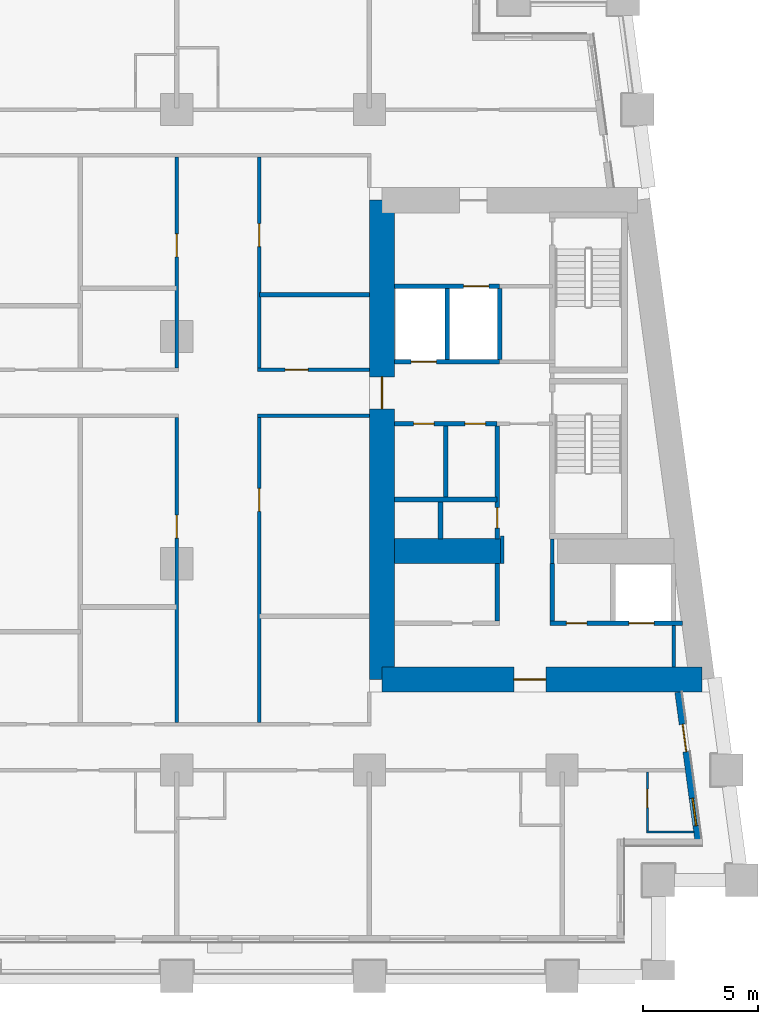
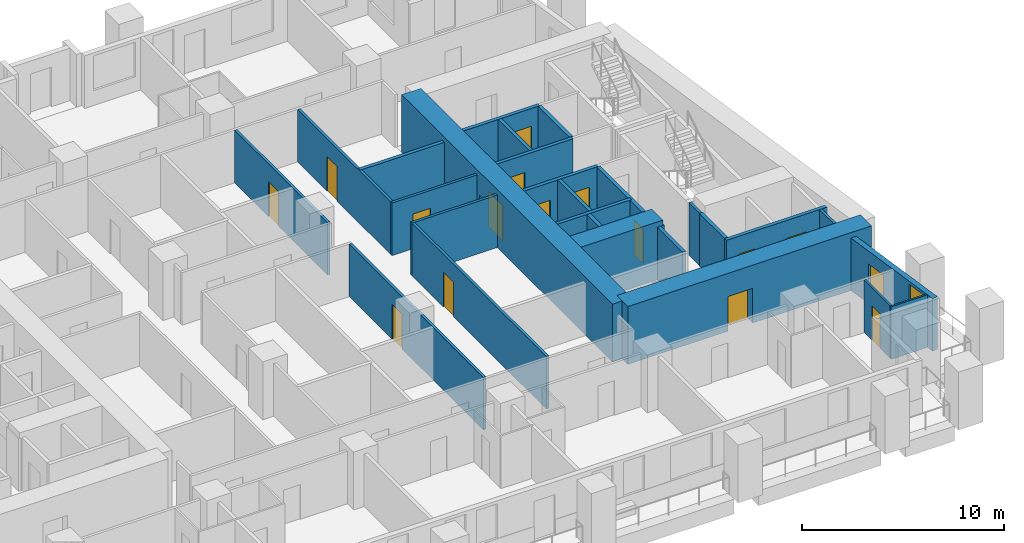
# One storey, part 5 of 13: 28 walls, 16 doors, 1 window, 17 openings.
"""IFC4 building model written with IfcOpenShell, lengths in metres."""

from ifc_helpers import new_model, si_unit, direction, frame, frame_2d, origin, place, context, subcontext, project, spatial, rectangle, extrude, material, layer, layer_set, type_object, element, fill, save


model = new_model("IFC4")

# Units and contexts
model_context = context("Model", 3, precision=1e-05, world=origin(), true_north=direction((0.0, 1.0)))
body_context = subcontext(model_context, "Body", "Model", "MODEL_VIEW")
ifc_project = project(units=[si_unit("LENGTHUNIT", "METRE"), si_unit("AREAUNIT", "SQUARE_METRE"), si_unit("VOLUMEUNIT", "CUBIC_METRE"), si_unit("PLANEANGLEUNIT", "RADIAN"), si_unit("MASSUNIT", "GRAM", prefix="KILO")], contexts=[model_context])

# Site, building, storey
site_placement = place(None, origin())
site = spatial("IfcSite", under=ifc_project, at=site_placement, CompositionType="ELEMENT")
building_placement = place(site_placement, origin())
building = spatial("IfcBuilding", under=site, at=building_placement, Name="Candeia Pilgrim Tower and Theatre", CompositionType="ELEMENT")
storey_placement = place(building_placement, frame((0.0, 0.0, 60.0)))
storey = spatial("IfcBuildingStorey", under=building, at=storey_placement, Name="L12", CompositionType="ELEMENT", Elevation=60.0)

# Wall, opening, door
ifc_material_1 = material(Name="Concrete C80/95", Category="concrete")
ifc_layer_1 = layer(ifc_material_1, 1.10009765625)
ifc_layer_set_1 = layer_set([ifc_layer_1], Name="Core wall 1100 C80/95")
wall_type_1 = type_object("IfcWallType", Name="Core wall 1100 C80/95", PredefinedType="SHEAR", material=ifc_layer_set_1)
wall_1_placement = place(storey_placement, frame((140.501708984375, 110.949951171875, 0.0), z_axis=(0.0, 0.0, 1.0), x_axis=(-1.0, 0.0, 0.0)))
wall_1 = element("IfcWall", 1, at=wall_1_placement, inside=storey, type_object=wall_type_1, Name="Core wall E3", PredefinedType="SHEAR", context=body_context, shape_type="SweptSolid", body=[
    extrude(rectangle(XDim=13.95166015625, YDim=1.10009765625, at=frame_2d((6.975830078125, 0.0))), origin(), (0.0, 0.0, 1.0), 3.5),
])
opening_1_placement = place(wall_1_placement, frame((6.80419921875, 0.0, 0.0)))
opening_1 = element("IfcOpeningElement", 2, at=opening_1_placement, cuts=wall_1, Name="Opening L12-D060", PredefinedType="OPENING", context=body_context, shape_type="SweptSolid", body=[
    extrude(rectangle(XDim=1.39990234375, YDim=2.10009765625, at=frame_2d((0.699951171875, 1.050048828125))), frame((0.0, 0.56005859375, 0.0), z_axis=(0.0, -1.0, 0.0), x_axis=(1.0, 0.0, 0.0)), (0.0, 0.0, 1.0), 1.1201171875),
])
ifc_material_2 = material(Name="Steel fire door set", Category="steel")
door_type_1 = type_object("IfcDoorType", Name="D-1400-FD60", OperationType="NOTDEFINED", PredefinedType="DOOR", material=ifc_material_2)
door_1_placement = place(opening_1_placement, origin())
door_1 = element("IfcDoor", 3, at=door_1_placement, inside=storey, type_object=door_type_1, Name="Door L12-D060", OperationType="SINGLE_SWING_RIGHT", OverallHeight=2.10009765625, OverallWidth=1.39990234375, PredefinedType="DOOR", context=body_context, shape_type="SweptSolid", body=[
    extrude(rectangle(XDim=1.39990234375, YDim=2.10009765625, at=frame_2d((0.699951171875, 1.050048828125))), frame((0.0, 0.02490234375, 0.0), z_axis=(0.0, -1.0, 0.0), x_axis=(1.0, 0.0, 0.0)), (0.0, 0.0, 1.0), 0.050048828125),
])
fill(opening_1, door_1)

wall_2_placement = place(storey_placement, frame((126.550048828125, 110.949951171875, 0.0), z_axis=(0.0, 0.0, 1.0), x_axis=(0.0, 1.0, 0.0)))
wall_2 = element("IfcWall", 4, at=wall_2_placement, inside=storey, type_object=wall_type_1, Name="Core wall E4", PredefinedType="SHEAR", context=body_context, shape_type="SweptSolid", body=[
    extrude(rectangle(XDim=20.900146484375, YDim=1.10009765625, at=frame_2d((10.4501953125, 0.0))), origin(), (0.0, 0.0, 1.0), 3.5),
])
opening_2_placement = place(wall_2_placement, frame((11.800048828125, 0.0, 0.0)))
opening_2 = element("IfcOpeningElement", 5, at=opening_2_placement, cuts=wall_2, Name="Opening L12-D062", PredefinedType="OPENING", context=body_context, shape_type="SweptSolid", body=[
    extrude(rectangle(XDim=1.39990234375, YDim=2.10009765625, at=frame_2d((0.699951171875, 1.050048828125))), frame((0.0, 0.56005859375, 0.0), z_axis=(0.0, -1.0, 0.0), x_axis=(1.0, 0.0, 0.0)), (0.0, 0.0, 1.0), 1.1201171875),
])
door_2_placement = place(opening_2_placement, origin())
door_2 = element("IfcDoor", 6, at=door_2_placement, inside=storey, type_object=door_type_1, Name="Door L12-D062", OperationType="SINGLE_SWING_RIGHT", OverallHeight=2.10009765625, OverallWidth=1.39990234375, PredefinedType="DOOR", context=body_context, shape_type="SweptSolid", body=[
    extrude(rectangle(XDim=1.39990234375, YDim=2.10009765625, at=frame_2d((0.699951171875, 1.050048828125))), frame((0.0, 0.02490234375, 0.0), z_axis=(0.0, -1.0, 0.0), x_axis=(1.0, 0.0, 0.0)), (0.0, 0.0, 1.0), 0.050048828125),
])
fill(opening_2, door_2)

# Wall
wall_3_placement = place(storey_placement, frame((127.10009765625, 116.550048828125, 0.0), z_axis=(0.0, 0.0, 1.0), x_axis=(1.0, 0.0, 0.0)))
element("IfcWall", 7, at=wall_3_placement, inside=storey, type_object=wall_type_1, Name="Core wall E5", PredefinedType="SHEAR", context=body_context, shape_type="SweptSolid", body=[
    extrude(rectangle(XDim=4.699951171875, YDim=1.10009765625, at=frame_2d((2.35009765625, 0.0))), origin(), (0.0, 0.0, 1.0), 3.5),
])

# Wall, openings, door, window
ifc_material_3 = material(Name="Ceramic block masonry", Category="masonry")
ifc_layer_2 = layer(ifc_material_3, 0.300048828125)
ifc_layer_set_2 = layer_set([ifc_layer_2], Name="EW1 glazing-line wall 300")
wall_type_2 = type_object("IfcWallType", Name="EW1 glazing-line wall 300", PredefinedType="SOLIDWALL", material=ifc_layer_set_2)
wall_4_placement = place(storey_placement, frame((140.34765625, 103.85009765625, 0.0), z_axis=(0.0, 0.0, 1.0), x_axis=(-0.133431549479, 0.991058031401, 0.0)))
wall_4 = element("IfcWall", 8, at=wall_4_placement, inside=storey, type_object=wall_type_2, Name="External wall L12-3.0", PredefinedType="SOLIDWALL", context=body_context, shape_type="SweptSolid", body=[
    extrude(rectangle(XDim=6.60888671875, YDim=0.300048828125, at=frame_2d((3.304443359375, 0.0))), origin(), (0.0, 0.0, 1.0), 3.179931640625),
])
opening_3_placement = place(wall_4_placement, frame((0.736572265625, 0.0, 0.89990234375)))
opening_3 = element("IfcOpeningElement", 9, at=opening_3_placement, cuts=wall_4, Name="Opening W-B", PredefinedType="OPENING", context=body_context, shape_type="SweptSolid", body=[
    extrude(rectangle(XDim=1.199951171875, YDim=2.10009765625, at=frame_2d((0.60009765625, 1.050048828125))), frame((0.0, 0.16015625, 0.0), z_axis=(0.0, -1.0, 0.0), x_axis=(1.0, 0.0, 0.0)), (0.0, 0.0, 1.0), 0.320068359375),
])
opening_4_placement = place(wall_4_placement, frame((3.990966796875, 0.0, 0.0)))
opening_4 = element("IfcOpeningElement", 10, at=opening_4_placement, cuts=wall_4, Name="Opening L12-ED139", PredefinedType="OPENING", context=body_context, shape_type="SweptSolid", body=[
    extrude(rectangle(XDim=1.199951171875, YDim=2.39990234375, at=frame_2d((0.60009765625, 1.199951171875))), frame((0.0, 0.16015625, 0.0), z_axis=(0.0, -1.0, 0.0), x_axis=(1.0, 0.0, 0.0)), (0.0, 0.0, 1.0), 0.320068359375),
])
ifc_material_4 = material(Name="Aluminium framed glazed door", Category="aluminium")
door_type_2 = type_object("IfcDoorType", Name="Loggia door 1200x2400", OperationType="DOUBLE_DOOR_SINGLE_SWING", PredefinedType="DOOR", material=ifc_material_4)
door_3_placement = place(opening_4_placement, origin())
door_3 = element("IfcDoor", 11, at=door_3_placement, inside=storey, type_object=door_type_2, Name="Loggia door L12-ED139", OperationType="DOUBLE_DOOR_SINGLE_SWING", OverallHeight=2.39990234375, OverallWidth=1.199951171875, PredefinedType="DOOR", context=body_context, shape_type="SweptSolid", body=[
    extrude(rectangle(XDim=1.199951171875, YDim=2.39990234375, at=frame_2d((0.60009765625, 1.199951171875))), frame((0.0, 0.02490234375, 0.0), z_axis=(0.0, -1.0, 0.0), x_axis=(1.0, 0.0, 0.0)), (0.0, 0.0, 1.0), 0.050048828125),
])
fill(opening_4, door_3)
ifc_material_5 = material(Name="Aluminium framed double glazing", Category="aluminium")
window_type = type_object("IfcWindowType", Name="W-B window 1200x2100", PartitioningType="SINGLE_PANEL", PredefinedType="WINDOW", material=ifc_material_5)
window_placement = place(opening_3_placement, origin())
window = element("IfcWindow", 12, at=window_placement, inside=storey, type_object=window_type, Name="Window W-B L12", OverallHeight=2.10009765625, OverallWidth=1.199951171875, PartitioningType="SINGLE_PANEL", PredefinedType="WINDOW", context=body_context, shape_type="SweptSolid", body=[
    extrude(rectangle(XDim=1.199951171875, YDim=2.10009765625, at=frame_2d((0.60009765625, 1.050048828125))), frame((0.0, 0.030029296875, 0.0), z_axis=(0.0, -1.0, 0.0), x_axis=(1.0, 0.0, 0.0)), (0.0, 0.0, 1.0), 0.06005859375),
])
fill(opening_3, window)

# Wall
ifc_material_6 = material(Name="Gypsum board partition on steel studs", Category="steel")
ifc_layer_3 = layer(ifc_material_6, 0.10009765625)
ifc_layer_set_3 = layer_set([ifc_layer_3], Name="PW-100 room partition")
wall_type_3 = type_object("IfcWallType", Name="PW-100 room partition", PredefinedType="PARTITIONING", material=ifc_layer_set_3)
wall_5_placement = place(storey_placement, frame((138.070068359375, 104.300048828125, 0.0), z_axis=(0.0, 0.0, 1.0), x_axis=(1.0, 0.0, 0.0)))
element("IfcWall", 13, at=wall_5_placement, inside=storey, type_object=wall_type_3, Name="Room partition L12-002", PredefinedType="PARTITIONING", context=body_context, shape_type="SweptSolid", body=[
    extrude(rectangle(XDim=2.07568359375, YDim=0.10009765625, at=frame_2d((1.037841796875, 0.0))), origin(), (0.0, 0.0, 1.0), 3.179931640625),
])

# Wall, opening, door
wall_6_placement = place(storey_placement, frame((138.1201171875, 104.35009765625, 0.0), z_axis=(0.0, 0.0, 1.0), x_axis=(0.0, 1.0, 0.0)))
wall_6 = element("IfcWall", 14, at=wall_6_placement, inside=storey, type_object=wall_type_3, Name="Room partition L12-122", PredefinedType="PARTITIONING", context=body_context, shape_type="SweptSolid", body=[
    extrude(rectangle(XDim=2.574951171875, YDim=0.10009765625, at=frame_2d((1.28759765625, 0.0))), origin(), (0.0, 0.0, 1.0), 3.179931640625),
])
opening_5_placement = place(wall_6_placement, frame((1.02001953125, 0.0, 0.0)))
opening_5 = element("IfcOpeningElement", 15, at=opening_5_placement, cuts=wall_6, Name="Opening L12-D029", PredefinedType="OPENING", context=body_context, shape_type="SweptSolid", body=[
    extrude(rectangle(XDim=0.800048828125, YDim=2.10009765625, at=frame_2d((0.39990234375, 1.050048828125))), frame((0.0, 0.06005859375, 0.0), z_axis=(0.0, -1.0, 0.0), x_axis=(1.0, 0.0, 0.0)), (0.0, 0.0, 1.0), 0.1201171875),
])
ifc_material_7 = material(Name="Timber door leaf", Category="wood")
door_type_3 = type_object("IfcDoorType", Name="D-800", OperationType="NOTDEFINED", PredefinedType="DOOR", material=ifc_material_7)
door_4_placement = place(opening_5_placement, origin())
door_4 = element("IfcDoor", 16, at=door_4_placement, inside=storey, type_object=door_type_3, Name="Door L12-D029", OperationType="SINGLE_SWING_LEFT", OverallHeight=2.10009765625, OverallWidth=0.800048828125, PredefinedType="DOOR", context=body_context, shape_type="SweptSolid", body=[
    extrude(rectangle(XDim=0.800048828125, YDim=2.10009765625, at=frame_2d((0.39990234375, 1.050048828125))), frame((0.0, 0.02490234375, 0.0), z_axis=(0.0, -1.0, 0.0), x_axis=(1.0, 0.0, 0.0)), (0.0, 0.0, 1.0), 0.050048828125),
])
fill(opening_5, door_4)

# Walls
ifc_layer_4 = layer(ifc_material_6, 0.14990234375)
ifc_layer_set_4 = layer_set([ifc_layer_4], Name="PW-150 lobby wall")
wall_type_4 = type_object("IfcWallType", Name="PW-150 lobby wall", PredefinedType="PARTITIONING", material=ifc_layer_set_4)
wall_7_placement = place(storey_placement, frame((131.800048828125, 116.0, 0.0), z_axis=(0.0, 0.0, 1.0), x_axis=(0.0, 1.0, 0.0)))
element("IfcWall", 17, at=wall_7_placement, inside=storey, type_object=wall_type_4, Name="Lobby wall L12-111", PredefinedType="PARTITIONING", context=body_context, shape_type="SweptSolid", body=[
    extrude(rectangle(XDim=1.199951171875, YDim=0.14990234375, at=frame_2d((0.60009765625, 0.0))), origin(), (0.0, 0.0, 1.0), 3.179931640625),
])
wall_8_placement = place(storey_placement, frame((133.972900390625, 116.0, 0.0), z_axis=(0.0, 0.0, 1.0), x_axis=(0.0, 1.0, 0.0)))
element("IfcWall", 18, at=wall_8_placement, inside=storey, type_object=wall_type_4, Name="Lobby wall L12-114", PredefinedType="PARTITIONING", context=body_context, shape_type="SweptSolid", body=[
    extrude(rectangle(XDim=1.070068359375, YDim=0.14990234375, at=frame_2d((0.53515625, 0.0))), origin(), (0.0, 0.0, 1.0), 3.179931640625),
])
wall_9_placement = place(storey_placement, frame((139.27001953125, 111.5, 0.0), z_axis=(0.0, 0.0, 1.0), x_axis=(0.0, 1.0, 0.0)))
element("IfcWall", 19, at=wall_9_placement, inside=storey, type_object=wall_type_4, Name="Lobby wall L12-124", PredefinedType="PARTITIONING", context=body_context, shape_type="SweptSolid", body=[
    extrude(rectangle(XDim=1.800048828125, YDim=0.14990234375, at=frame_2d((0.89990234375, 0.0))), origin(), (0.0, 0.0, 1.0), 3.179931640625),
])
ifc_layer_5 = layer(ifc_material_6, 0.14990234375)
ifc_layer_set_5 = layer_set([ifc_layer_5], Name="PW-150 unit wall")
wall_type_5 = type_object("IfcWallType", Name="PW-150 unit wall", PredefinedType="PARTITIONING", material=ifc_layer_set_5)
wall_10_placement = place(storey_placement, frame((121.125, 122.449951171875, 0.0), z_axis=(0.0, 0.0, 1.0), x_axis=(1.0, 0.0, 0.0)))
element("IfcWall", 20, at=wall_10_placement, inside=storey, type_object=wall_type_5, Name="Unit wall L12-027", PredefinedType="PARTITIONING", context=body_context, shape_type="SweptSolid", body=[
    extrude(rectangle(XDim=4.875, YDim=0.14990234375, at=frame_2d((2.4375, 0.0))), origin(), (0.0, 0.0, 1.0), 3.179931640625),
])

# Wall, opening, door
wall_11_placement = place(storey_placement, frame((121.125, 124.449951171875, 0.0), z_axis=(0.0, 0.0, 1.0), x_axis=(1.0, 0.0, 0.0)))
wall_11 = element("IfcWall", 21, at=wall_11_placement, inside=storey, type_object=wall_type_5, Name="Unit wall L12-034", PredefinedType="PARTITIONING", context=body_context, shape_type="SweptSolid", body=[
    extrude(rectangle(XDim=4.875, YDim=0.14990234375, at=frame_2d((2.4375, 0.0))), origin(), (0.0, 0.0, 1.0), 3.179931640625),
])
opening_6_placement = place(wall_11_placement, frame((1.199951171875, 0.0, 0.0)))
opening_6 = element("IfcOpeningElement", 22, at=opening_6_placement, cuts=wall_11, Name="Opening L12-D055", PredefinedType="OPENING", context=body_context, shape_type="SweptSolid", body=[
    extrude(rectangle(XDim=1.0, YDim=2.10009765625, at=frame_2d((0.5, 1.050048828125))), frame((0.0, 0.0849609375, 0.0), z_axis=(0.0, -1.0, 0.0), x_axis=(1.0, 0.0, 0.0)), (0.0, 0.0, 1.0), 0.169921875),
])
door_type_4 = type_object("IfcDoorType", Name="D-1000-FD30S", OperationType="NOTDEFINED", PredefinedType="DOOR", material=ifc_material_2)
door_5_placement = place(opening_6_placement, origin())
door_5 = element("IfcDoor", 23, at=door_5_placement, inside=storey, type_object=door_type_4, Name="Door L12-D055", OperationType="SINGLE_SWING_LEFT", OverallHeight=2.10009765625, OverallWidth=1.0, PredefinedType="DOOR", context=body_context, shape_type="SweptSolid", body=[
    extrude(rectangle(XDim=1.0, YDim=2.10009765625, at=frame_2d((0.5, 1.050048828125))), frame((0.0, 0.02490234375, 0.0), z_axis=(0.0, -1.0, 0.0), x_axis=(1.0, 0.0, 0.0)), (0.0, 0.0, 1.0), 0.050048828125),
])
fill(opening_6, door_5)

wall_12_placement = place(storey_placement, frame((117.60009765625, 109.074951171875, 0.0), z_axis=(0.0, 0.0, 1.0), x_axis=(0.0, 1.0, 0.0)))
wall_12 = element("IfcWall", 24, at=wall_12_placement, inside=storey, type_object=wall_type_5, Name="Unit wall L12-095", PredefinedType="PARTITIONING", context=body_context, shape_type="SweptSolid", body=[
    extrude(rectangle(XDim=13.300048828125, YDim=0.14990234375, at=frame_2d((6.64990234375, 0.0))), origin(), (0.0, 0.0, 1.0), 3.179931640625),
])
opening_7_placement = place(wall_12_placement, frame((8.0419921875, 0.0, 0.0)))
opening_7 = element("IfcOpeningElement", 25, at=opening_7_placement, cuts=wall_12, Name="Opening L12-D050", PredefinedType="OPENING", context=body_context, shape_type="SweptSolid", body=[
    extrude(rectangle(XDim=1.0, YDim=2.10009765625, at=frame_2d((0.5, 1.050048828125))), frame((0.0, 0.0849609375, 0.0), z_axis=(0.0, -1.0, 0.0), x_axis=(1.0, 0.0, 0.0)), (0.0, 0.0, 1.0), 0.169921875),
])
door_6_placement = place(opening_7_placement, origin())
door_6 = element("IfcDoor", 26, at=door_6_placement, inside=storey, type_object=door_type_4, Name="Door L12-D050", OperationType="SINGLE_SWING_RIGHT", OverallHeight=2.10009765625, OverallWidth=1.0, PredefinedType="DOOR", context=body_context, shape_type="SweptSolid", body=[
    extrude(rectangle(XDim=1.0, YDim=2.10009765625, at=frame_2d((0.5, 1.050048828125))), frame((0.0, 0.02490234375, 0.0), z_axis=(0.0, -1.0, 0.0), x_axis=(1.0, 0.0, 0.0)), (0.0, 0.0, 1.0), 0.050048828125),
])
fill(opening_7, door_6)

wall_13_placement = place(storey_placement, frame((117.60009765625, 124.52490234375, 0.0), z_axis=(0.0, 0.0, 1.0), x_axis=(0.0, 1.0, 0.0)))
wall_13 = element("IfcWall", 27, at=wall_13_placement, inside=storey, type_object=wall_type_5, Name="Unit wall L12-096", PredefinedType="PARTITIONING", context=body_context, shape_type="SweptSolid", body=[
    extrude(rectangle(XDim=9.2001953125, YDim=0.14990234375, at=frame_2d((4.60009765625, 0.0))), origin(), (0.0, 0.0, 1.0), 3.179931640625),
])
opening_8_placement = place(wall_13_placement, frame((4.85205078125, 0.0, 0.0)))
opening_8 = element("IfcOpeningElement", 28, at=opening_8_placement, cuts=wall_13, Name="Opening L12-D052", PredefinedType="OPENING", context=body_context, shape_type="SweptSolid", body=[
    extrude(rectangle(XDim=1.0, YDim=2.10009765625, at=frame_2d((0.5, 1.050048828125))), frame((0.0, 0.0849609375, 0.0), z_axis=(0.0, -1.0, 0.0), x_axis=(1.0, 0.0, 0.0)), (0.0, 0.0, 1.0), 0.169921875),
])
door_7_placement = place(opening_8_placement, origin())
door_7 = element("IfcDoor", 29, at=door_7_placement, inside=storey, type_object=door_type_4, Name="Door L12-D052", OperationType="SINGLE_SWING_RIGHT", OverallHeight=2.10009765625, OverallWidth=1.0, PredefinedType="DOOR", context=body_context, shape_type="SweptSolid", body=[
    extrude(rectangle(XDim=1.0, YDim=2.10009765625, at=frame_2d((0.5, 1.050048828125))), frame((0.0, 0.02490234375, 0.0), z_axis=(0.0, -1.0, 0.0), x_axis=(1.0, 0.0, 0.0)), (0.0, 0.0, 1.0), 0.050048828125),
])
fill(opening_8, door_7)

wall_14_placement = place(storey_placement, frame((121.199951171875, 109.074951171875, 0.0), z_axis=(0.0, 0.0, 1.0), x_axis=(0.0, 1.0, 0.0)))
wall_14 = element("IfcWall", 30, at=wall_14_placement, inside=storey, type_object=wall_type_5, Name="Unit wall L12-099", PredefinedType="PARTITIONING", context=body_context, shape_type="SweptSolid", body=[
    extrude(rectangle(XDim=13.300048828125, YDim=0.14990234375, at=frame_2d((6.64990234375, 0.0))), origin(), (0.0, 0.0, 1.0), 3.179931640625),
])
opening_9_placement = place(wall_14_placement, frame((9.2080078125, 0.0, 0.0)))
opening_9 = element("IfcOpeningElement", 31, at=opening_9_placement, cuts=wall_14, Name="Opening L12-D054", PredefinedType="OPENING", context=body_context, shape_type="SweptSolid", body=[
    extrude(rectangle(XDim=1.0, YDim=2.10009765625, at=frame_2d((0.5, 1.050048828125))), frame((0.0, 0.0849609375, 0.0), z_axis=(0.0, -1.0, 0.0), x_axis=(1.0, 0.0, 0.0)), (0.0, 0.0, 1.0), 0.169921875),
])
door_8_placement = place(opening_9_placement, origin())
door_8 = element("IfcDoor", 32, at=door_8_placement, inside=storey, type_object=door_type_4, Name="Door L12-D054", OperationType="SINGLE_SWING_RIGHT", OverallHeight=2.10009765625, OverallWidth=1.0, PredefinedType="DOOR", context=body_context, shape_type="SweptSolid", body=[
    extrude(rectangle(XDim=1.0, YDim=2.10009765625, at=frame_2d((0.5, 1.050048828125))), frame((0.0, 0.02490234375, 0.0), z_axis=(0.0, -1.0, 0.0), x_axis=(1.0, 0.0, 0.0)), (0.0, 0.0, 1.0), 0.050048828125),
])
fill(opening_9, door_8)

wall_15_placement = place(storey_placement, frame((121.199951171875, 124.52490234375, 0.0), z_axis=(0.0, 0.0, 1.0), x_axis=(0.0, 1.0, 0.0)))
wall_15 = element("IfcWall", 33, at=wall_15_placement, inside=storey, type_object=wall_type_5, Name="Unit wall L12-100", PredefinedType="PARTITIONING", context=body_context, shape_type="SweptSolid", body=[
    extrude(rectangle(XDim=9.2001953125, YDim=0.14990234375, at=frame_2d((4.60009765625, 0.0))), origin(), (0.0, 0.0, 1.0), 3.179931640625),
])
opening_10_placement = place(wall_15_placement, frame((5.298095703125, 0.0, 0.0)))
opening_10 = element("IfcOpeningElement", 34, at=opening_10_placement, cuts=wall_15, Name="Opening L12-D056", PredefinedType="OPENING", context=body_context, shape_type="SweptSolid", body=[
    extrude(rectangle(XDim=1.0, YDim=2.10009765625, at=frame_2d((0.5, 1.050048828125))), frame((0.0, 0.0849609375, 0.0), z_axis=(0.0, -1.0, 0.0), x_axis=(1.0, 0.0, 0.0)), (0.0, 0.0, 1.0), 0.169921875),
])
door_9_placement = place(opening_10_placement, origin())
door_9 = element("IfcDoor", 35, at=door_9_placement, inside=storey, type_object=door_type_4, Name="Door L12-D056", OperationType="SINGLE_SWING_RIGHT", OverallHeight=2.10009765625, OverallWidth=1.0, PredefinedType="DOOR", context=body_context, shape_type="SweptSolid", body=[
    extrude(rectangle(XDim=1.0, YDim=2.10009765625, at=frame_2d((0.5, 1.050048828125))), frame((0.0, 0.02490234375, 0.0), z_axis=(0.0, -1.0, 0.0), x_axis=(1.0, 0.0, 0.0)), (0.0, 0.0, 1.0), 0.050048828125),
])
fill(opening_10, door_9)

# Wall
ifc_layer_6 = layer(ifc_material_6, 0.199951171875)
ifc_layer_set_6 = layer_set([ifc_layer_6], Name="PW-200 party wall")
wall_type_6 = type_object("IfcWallType", Name="PW-200 party wall", PredefinedType="PARTITIONING", material=ifc_layer_set_6)
wall_16_placement = place(storey_placement, frame((121.199951171875, 127.722412109375, 0.0), z_axis=(0.0, 0.0, 1.0), x_axis=(1.0, 0.0, 0.0)))
element("IfcWall", 36, at=wall_16_placement, inside=storey, type_object=wall_type_6, Name="Party wall L12-040", PredefinedType="PARTITIONING", context=body_context, shape_type="SweptSolid", body=[
    extrude(rectangle(XDim=4.800048828125, YDim=0.199951171875, at=frame_2d((2.39990234375, 0.0))), origin(), (0.0, 0.0, 1.0), 3.179931640625),
])

# Wall, openings, doors
ifc_material_8 = material(Name="Concrete C40/50", Category="concrete")
ifc_layer_7 = layer(ifc_material_8, 0.199951171875)
ifc_layer_set_7 = layer_set([ifc_layer_7], Name="SW-200 shaft wall")
wall_type_7 = type_object("IfcWallType", Name="SW-200 shaft wall", PredefinedType="PARTITIONING", material=ifc_layer_set_7)
wall_17_placement = place(storey_placement, frame((133.873046875, 113.39990234375, 0.0), z_axis=(0.0, 0.0, 1.0), x_axis=(1.0, 0.0, 0.0)))
wall_17 = element("IfcWall", 37, at=wall_17_placement, inside=storey, type_object=wall_type_7, Name="Shaft wall L12-014", PredefinedType="PARTITIONING", context=body_context, shape_type="SweptSolid", body=[
    extrude(rectangle(XDim=5.77392578125, YDim=0.199951171875, at=frame_2d((2.886962890625, 0.0))), origin(), (0.0, 0.0, 1.0), 3.179931640625),
])
opening_11_placement = place(wall_17_placement, frame((3.43798828125, 0.0, 0.0)))
opening_11 = element("IfcOpeningElement", 38, at=opening_11_placement, cuts=wall_17, Name="Opening L12-LD08", PredefinedType="OPENING", context=body_context, shape_type="SweptSolid", body=[
    extrude(rectangle(XDim=1.10009765625, YDim=2.10009765625, at=frame_2d((0.550048828125, 1.050048828125))), frame((0.0, 0.10986328125, 0.0), z_axis=(0.0, -1.0, 0.0), x_axis=(1.0, 0.0, 0.0)), (0.0, 0.0, 1.0), 0.219970703125),
])
opening_12_placement = place(wall_17_placement, frame((0.7119140625, 0.0, 0.0)))
opening_12 = element("IfcOpeningElement", 39, at=opening_12_placement, cuts=wall_17, Name="Opening L12-D014", PredefinedType="OPENING", context=body_context, shape_type="SweptSolid", body=[
    extrude(rectangle(XDim=0.89990234375, YDim=2.10009765625, at=frame_2d((0.449951171875, 1.050048828125))), frame((0.0, 0.10986328125, 0.0), z_axis=(0.0, -1.0, 0.0), x_axis=(1.0, 0.0, 0.0)), (0.0, 0.0, 1.0), 0.219970703125),
])
door_type_5 = type_object("IfcDoorType", Name="D-900-FD60", OperationType="NOTDEFINED", PredefinedType="DOOR", material=ifc_material_2)
door_10_placement = place(opening_12_placement, origin())
door_10 = element("IfcDoor", 40, at=door_10_placement, inside=storey, type_object=door_type_5, Name="Door L12-D014", OperationType="SINGLE_SWING_RIGHT", OverallHeight=2.10009765625, OverallWidth=0.89990234375, PredefinedType="DOOR", context=body_context, shape_type="SweptSolid", body=[
    extrude(rectangle(XDim=0.89990234375, YDim=2.10009765625, at=frame_2d((0.449951171875, 1.050048828125))), frame((0.0, 0.02490234375, 0.0), z_axis=(0.0, -1.0, 0.0), x_axis=(1.0, 0.0, 0.0)), (0.0, 0.0, 1.0), 0.050048828125),
])
fill(opening_12, door_10)
ifc_material_9 = material(Name="Glazed aluminium landing door", Category="aluminium")
door_type_6 = type_object("IfcDoorType", Name="LD-1100-EI120", OperationType="SLIDING_TO_LEFT", PredefinedType="DOOR", material=ifc_material_9)
door_11_placement = place(opening_11_placement, origin())
door_11 = element("IfcDoor", 41, at=door_11_placement, inside=storey, type_object=door_type_6, Name="Landing door 08 L12", OperationType="SLIDING_TO_LEFT", OverallHeight=2.10009765625, OverallWidth=1.10009765625, PredefinedType="DOOR", context=body_context, shape_type="SweptSolid", body=[
    extrude(rectangle(XDim=1.10009765625, YDim=2.10009765625, at=frame_2d((0.550048828125, 1.050048828125))), frame((0.0, 0.02490234375, 0.0), z_axis=(0.0, -1.0, 0.0), x_axis=(1.0, 0.0, 0.0)), (0.0, 0.0, 1.0), 0.050048828125),
])
fill(opening_11, door_11)

# Wall
wall_18_placement = place(storey_placement, frame((127.10009765625, 118.800048828125, 0.0), z_axis=(0.0, 0.0, 1.0), x_axis=(1.0, 0.0, 0.0)))
element("IfcWall", 42, at=wall_18_placement, inside=storey, type_object=wall_type_7, Name="Shaft wall L12-020", PredefinedType="PARTITIONING", context=body_context, shape_type="SweptSolid", body=[
    extrude(rectangle(XDim=4.472900390625, YDim=0.199951171875, at=frame_2d((2.236328125, 0.0))), origin(), (0.0, 0.0, 1.0), 3.179931640625),
])

# Wall, openings, doors
wall_19_placement = place(storey_placement, frame((127.10009765625, 122.10009765625, 0.0), z_axis=(0.0, 0.0, 1.0), x_axis=(1.0, 0.0, 0.0)))
wall_19 = element("IfcWall", 43, at=wall_19_placement, inside=storey, type_object=wall_type_7, Name="Shaft wall L12-022", PredefinedType="PARTITIONING", context=body_context, shape_type="SweptSolid", body=[
    extrude(rectangle(XDim=4.472900390625, YDim=0.199951171875, at=frame_2d((2.236328125, 0.0))), origin(), (0.0, 0.0, 1.0), 3.179931640625),
])
opening_13_placement = place(wall_19_placement, frame((3.06396484375, 0.0, 0.0)))
opening_13 = element("IfcOpeningElement", 44, at=opening_13_placement, cuts=wall_19, Name="Opening L12-D009", PredefinedType="OPENING", context=body_context, shape_type="SweptSolid", body=[
    extrude(rectangle(XDim=0.89990234375, YDim=2.10009765625, at=frame_2d((0.449951171875, 1.050048828125))), frame((0.0, 0.10986328125, 0.0), z_axis=(0.0, -1.0, 0.0), x_axis=(1.0, 0.0, 0.0)), (0.0, 0.0, 1.0), 0.219970703125),
])
opening_14_placement = place(wall_19_placement, frame((0.826904296875, 0.0, 0.0)))
opening_14 = element("IfcOpeningElement", 45, at=opening_14_placement, cuts=wall_19, Name="Opening L12-D010", PredefinedType="OPENING", context=body_context, shape_type="SweptSolid", body=[
    extrude(rectangle(XDim=0.89990234375, YDim=2.10009765625, at=frame_2d((0.449951171875, 1.050048828125))), frame((0.0, 0.10986328125, 0.0), z_axis=(0.0, -1.0, 0.0), x_axis=(1.0, 0.0, 0.0)), (0.0, 0.0, 1.0), 0.219970703125),
])
door_12_placement = place(opening_13_placement, origin())
door_12 = element("IfcDoor", 46, at=door_12_placement, inside=storey, type_object=door_type_5, Name="Door L12-D009", OperationType="SINGLE_SWING_RIGHT", OverallHeight=2.10009765625, OverallWidth=0.89990234375, PredefinedType="DOOR", context=body_context, shape_type="SweptSolid", body=[
    extrude(rectangle(XDim=0.89990234375, YDim=2.10009765625, at=frame_2d((0.449951171875, 1.050048828125))), frame((0.0, 0.02490234375, 0.0), z_axis=(0.0, -1.0, 0.0), x_axis=(1.0, 0.0, 0.0)), (0.0, 0.0, 1.0), 0.050048828125),
])
fill(opening_13, door_12)
door_13_placement = place(opening_14_placement, origin())
door_13 = element("IfcDoor", 47, at=door_13_placement, inside=storey, type_object=door_type_5, Name="Door L12-D010", OperationType="SINGLE_SWING_LEFT", OverallHeight=2.10009765625, OverallWidth=0.89990234375, PredefinedType="DOOR", context=body_context, shape_type="SweptSolid", body=[
    extrude(rectangle(XDim=0.89990234375, YDim=2.10009765625, at=frame_2d((0.449951171875, 1.050048828125))), frame((0.0, 0.02490234375, 0.0), z_axis=(0.0, -1.0, 0.0), x_axis=(1.0, 0.0, 0.0)), (0.0, 0.0, 1.0), 0.050048828125),
])
fill(opening_14, door_13)

# Wall, opening, door
wall_20_placement = place(storey_placement, frame((127.10009765625, 124.800048828125, 0.0), z_axis=(0.0, 0.0, 1.0), x_axis=(1.0, 0.0, 0.0)))
wall_20 = element("IfcWall", 48, at=wall_20_placement, inside=storey, type_object=wall_type_7, Name="Shaft wall L12-036", PredefinedType="PARTITIONING", context=body_context, shape_type="SweptSolid", body=[
    extrude(rectangle(XDim=4.581787109375, YDim=0.199951171875, at=frame_2d((2.291015625, 0.0))), origin(), (0.0, 0.0, 1.0), 3.179931640625),
])
opening_15_placement = place(wall_20_placement, frame((0.718017578125, 0.0, 0.0)))
opening_15 = element("IfcOpeningElement", 49, at=opening_15_placement, cuts=wall_20, Name="Opening L12-LD07", PredefinedType="OPENING", context=body_context, shape_type="SweptSolid", body=[
    extrude(rectangle(XDim=1.10009765625, YDim=2.10009765625, at=frame_2d((0.550048828125, 1.050048828125))), frame((0.0, 0.10986328125, 0.0), z_axis=(0.0, -1.0, 0.0), x_axis=(1.0, 0.0, 0.0)), (0.0, 0.0, 1.0), 0.219970703125),
])
door_14_placement = place(opening_15_placement, origin())
door_14 = element("IfcDoor", 50, at=door_14_placement, inside=storey, type_object=door_type_6, Name="Landing door 07 L12", OperationType="SLIDING_TO_LEFT", OverallHeight=2.10009765625, OverallWidth=1.10009765625, PredefinedType="DOOR", context=body_context, shape_type="SweptSolid", body=[
    extrude(rectangle(XDim=1.10009765625, YDim=2.10009765625, at=frame_2d((0.550048828125, 1.050048828125))), frame((0.0, 0.02490234375, 0.0), z_axis=(0.0, -1.0, 0.0), x_axis=(1.0, 0.0, 0.0)), (0.0, 0.0, 1.0), 0.050048828125),
])
fill(opening_15, door_14)

wall_21_placement = place(storey_placement, frame((127.10009765625, 128.10009765625, 0.0), z_axis=(0.0, 0.0, 1.0), x_axis=(1.0, 0.0, 0.0)))
wall_21 = element("IfcWall", 51, at=wall_21_placement, inside=storey, type_object=wall_type_7, Name="Shaft wall L12-043", PredefinedType="PARTITIONING", context=body_context, shape_type="SweptSolid", body=[
    extrude(rectangle(XDim=4.581787109375, YDim=0.199951171875, at=frame_2d((2.291015625, 0.0))), origin(), (0.0, 0.0, 1.0), 3.179931640625),
])
opening_16_placement = place(wall_21_placement, frame((3.009033203125, 0.0, 0.0)))
opening_16 = element("IfcOpeningElement", 52, at=opening_16_placement, cuts=wall_21, Name="Opening L12-LD06", PredefinedType="OPENING", context=body_context, shape_type="SweptSolid", body=[
    extrude(rectangle(XDim=1.10009765625, YDim=2.10009765625, at=frame_2d((0.550048828125, 1.050048828125))), frame((0.0, 0.10986328125, 0.0), z_axis=(0.0, -1.0, 0.0), x_axis=(1.0, 0.0, 0.0)), (0.0, 0.0, 1.0), 0.219970703125),
])
door_15_placement = place(opening_16_placement, origin())
door_15 = element("IfcDoor", 53, at=door_15_placement, inside=storey, type_object=door_type_6, Name="Landing door 06 L12", OperationType="SLIDING_TO_LEFT", OverallHeight=2.10009765625, OverallWidth=1.10009765625, PredefinedType="DOOR", context=body_context, shape_type="SweptSolid", body=[
    extrude(rectangle(XDim=1.10009765625, YDim=2.10009765625, at=frame_2d((0.550048828125, 1.050048828125))), frame((0.0, 0.02490234375, 0.0), z_axis=(0.0, -1.0, 0.0), x_axis=(1.0, 0.0, 0.0)), (0.0, 0.0, 1.0), 0.050048828125),
])
fill(opening_16, door_15)

# Walls
wall_22_placement = place(storey_placement, frame((129.10009765625, 117.070068359375, 0.0), z_axis=(0.0, 0.0, 1.0), x_axis=(0.0, 1.0, 0.0)))
element("IfcWall", 54, at=wall_22_placement, inside=storey, type_object=wall_type_7, Name="Shaft wall L12-105", PredefinedType="PARTITIONING", context=body_context, shape_type="SweptSolid", body=[
    extrude(rectangle(XDim=1.6298828125, YDim=0.199951171875, at=frame_2d((0.81494140625, 0.0))), origin(), (0.0, 0.0, 1.0), 3.179931640625),
])
for number, where, z_axis, x_axis, name in (
    (55, (129.33642578125, 118.89990234375, 0.0), (0.0, 0.0, 1.0), (0.0, 1.0, 0.0), "Shaft wall L12-106"),
    (56, (129.39111328125, 124.89990234375, 0.0), (0.0, 0.0, 1.0), (0.0, 1.0, 0.0), "Shaft wall L12-107"),
):
    element("IfcWall", number, at=place(storey_placement, frame(where, z_axis=z_axis, x_axis=x_axis)), inside=storey, type_object=wall_type_7, Name=name, PredefinedType="PARTITIONING", context=body_context, shape_type="SweptSolid", body=[
        extrude(rectangle(XDim=3.10009765625, YDim=0.199951171875, at=frame_2d((1.550048828125, 0.0))), origin(), (0.0, 0.0, 1.0), 3.179931640625),
    ])
wall_23_placement = place(storey_placement, frame((131.572998046875, 113.5, 0.0), z_axis=(0.0, 0.0, 1.0), x_axis=(0.0, 1.0, 0.0)))
element("IfcWall", 57, at=wall_23_placement, inside=storey, type_object=wall_type_7, Name="Shaft wall L12-108", PredefinedType="PARTITIONING", context=body_context, shape_type="SweptSolid", body=[
    extrude(rectangle(XDim=2.5, YDim=0.199951171875, at=frame_2d((1.25, 0.0))), origin(), (0.0, 0.0, 1.0), 3.179931640625),
])

# Wall, opening, door
wall_24_placement = place(storey_placement, frame((131.572998046875, 117.070068359375, 0.0), z_axis=(0.0, 0.0, 1.0), x_axis=(0.0, 1.0, 0.0)))
wall_24 = element("IfcWall", 58, at=wall_24_placement, inside=storey, type_object=wall_type_7, Name="Shaft wall L12-109", PredefinedType="PARTITIONING", context=body_context, shape_type="SweptSolid", body=[
    extrude(rectangle(XDim=4.929931640625, YDim=0.199951171875, at=frame_2d((2.46484375, 0.0))), origin(), (0.0, 0.0, 1.0), 3.179931640625),
])
opening_17_placement = place(wall_24_placement, frame((0.47998046875, 0.0, 0.0)))
opening_17 = element("IfcOpeningElement", 59, at=opening_17_placement, cuts=wall_24, Name="Opening L12-D013", PredefinedType="OPENING", context=body_context, shape_type="SweptSolid", body=[
    extrude(rectangle(XDim=0.89990234375, YDim=2.10009765625, at=frame_2d((0.449951171875, 1.050048828125))), frame((0.0, 0.10986328125, 0.0), z_axis=(0.0, -1.0, 0.0), x_axis=(1.0, 0.0, 0.0)), (0.0, 0.0, 1.0), 0.219970703125),
])
door_16_placement = place(opening_17_placement, origin())
door_16 = element("IfcDoor", 60, at=door_16_placement, inside=storey, type_object=door_type_5, Name="Door L12-D013", OperationType="SINGLE_SWING_RIGHT", OverallHeight=2.10009765625, OverallWidth=0.89990234375, PredefinedType="DOOR", context=body_context, shape_type="SweptSolid", body=[
    extrude(rectangle(XDim=0.89990234375, YDim=2.10009765625, at=frame_2d((0.449951171875, 1.050048828125))), frame((0.0, 0.02490234375, 0.0), z_axis=(0.0, -1.0, 0.0), x_axis=(1.0, 0.0, 0.0)), (0.0, 0.0, 1.0), 0.050048828125),
])
fill(opening_17, door_16)

# Walls
wall_25_placement = place(storey_placement, frame((131.681884765625, 124.89990234375, 0.0), z_axis=(0.0, 0.0, 1.0), x_axis=(0.0, 1.0, 0.0)))
element("IfcWall", 61, at=wall_25_placement, inside=storey, type_object=wall_type_7, Name="Shaft wall L12-110", PredefinedType="PARTITIONING", context=body_context, shape_type="SweptSolid", body=[
    extrude(rectangle(XDim=3.10009765625, YDim=0.199951171875, at=frame_2d((1.550048828125, 0.0))), origin(), (0.0, 0.0, 1.0), 3.179931640625),
])
wall_26_placement = place(storey_placement, frame((133.972900390625, 113.5, 0.0), z_axis=(0.0, 0.0, 1.0), x_axis=(0.0, 1.0, 0.0)))
element("IfcWall", 62, at=wall_26_placement, inside=storey, type_object=wall_type_7, Name="Shaft wall L12-113", PredefinedType="PARTITIONING", context=body_context, shape_type="SweptSolid", body=[
    extrude(rectangle(XDim=2.5, YDim=0.199951171875, at=frame_2d((1.25, 0.0))), origin(), (0.0, 0.0, 1.0), 3.179931640625),
])

save(model, "model.ifc")
